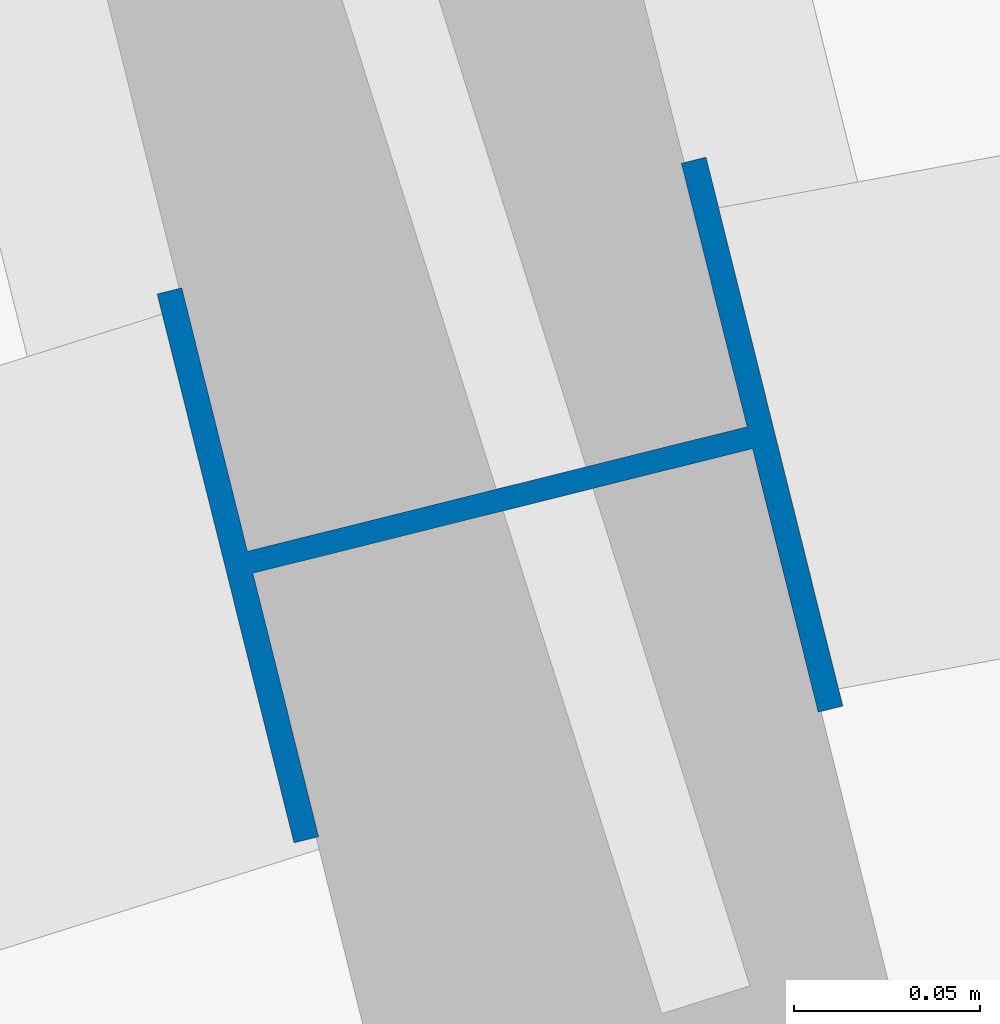
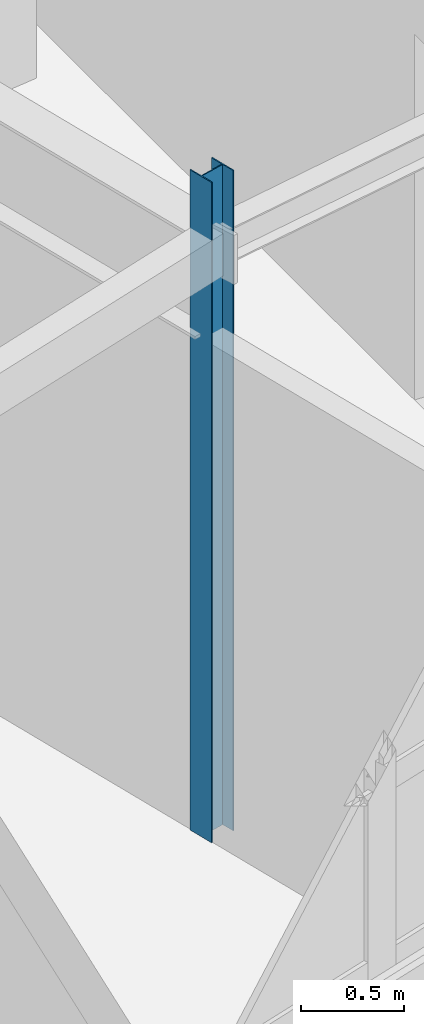
# One storey, part 10 of 79: 1 column.
"""IFC4 building model written with IfcOpenShell, lengths in metres."""

from ifc_helpers import new_model, si_unit, direction, frame, origin, origin_2d, place, context, subcontext, project, spatial, i_section, extrude, material, material_profile, profile_set, type_object, element, save


model = new_model("IFC4")

# Units and contexts
model_context = context("Model", 3, precision=1e-05, world=origin(), true_north=direction((0.0, 1.0)))
body_context = subcontext(model_context, "Body", "Model", "MODEL_VIEW")
ifc_project = project(units=[si_unit("LENGTHUNIT", "METRE"), si_unit("AREAUNIT", "SQUARE_METRE"), si_unit("VOLUMEUNIT", "CUBIC_METRE"), si_unit("PLANEANGLEUNIT", "RADIAN"), si_unit("MASSUNIT", "GRAM", prefix="KILO")], contexts=[model_context])

# Site, building, storey
site_placement = place(None, origin())
site = spatial("IfcSite", under=ifc_project, at=site_placement, CompositionType="ELEMENT")
building_placement = place(site_placement, origin())
building = spatial("IfcBuilding", under=site, at=building_placement, Name="Tarnwether General Hospital", CompositionType="ELEMENT")
storey_placement = place(building_placement, frame((0.0, 0.0, 18.300048828125)))
storey = spatial("IfcBuildingStorey", under=building, at=storey_placement, Name="L04", CompositionType="ELEMENT", Elevation=18.300048828125)

# Column
ifc_material = material(Name="Steel Grade 350 (350 MPa)", Category="steel")
ifc_material_profile = material_profile(ifc_material, i_section(OverallWidth=0.152099609375, OverallDepth=0.152099609375, WebThickness=0.006103515625, FlangeThickness=0.0068359375, at=origin_2d()), Name="150UC23.4")
ifc_profile_set = profile_set([ifc_material_profile], Name="Steel Grade 350 (350 MPa)")
column_type = type_object("IfcColumnType", Name="COL-32", PredefinedType="COLUMN", material=ifc_profile_set)
column_placement = place(storey_placement, frame((81.162109375, 106.468994140625, 0.0), z_axis=(0.0, 0.0, 1.0), x_axis=(-0.2419218956, 0.970295726276, 0.0)))
element("IfcColumn", 1, at=column_placement, inside=storey, type_object=column_type, Name="Column COLG-L04-8116_10647", PredefinedType="COLUMN", context=body_context, shape_type="SweptSolid", body=[
    extrude(i_section(OverallWidth=0.152099609375, OverallDepth=0.152099609375, WebThickness=0.006103515625, FlangeThickness=0.0068359375, at=origin_2d()), origin(), (0.0, 0.0, 1.0), 3.89990234375),
])

save(model, "model.ifc")
